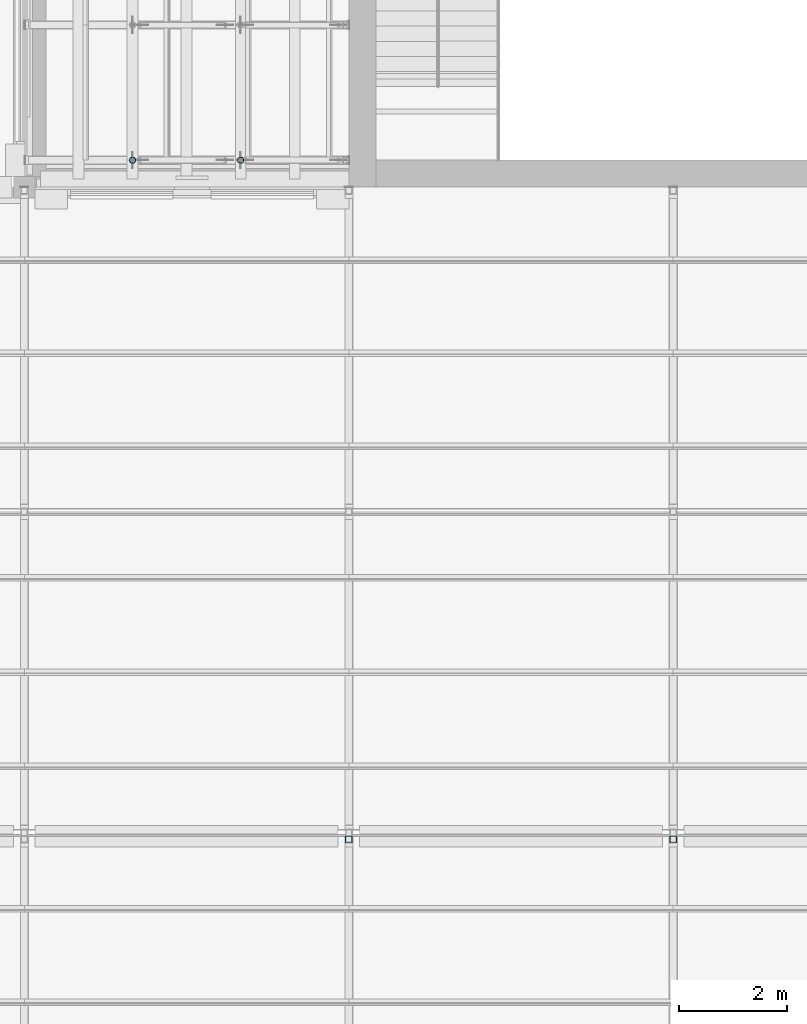
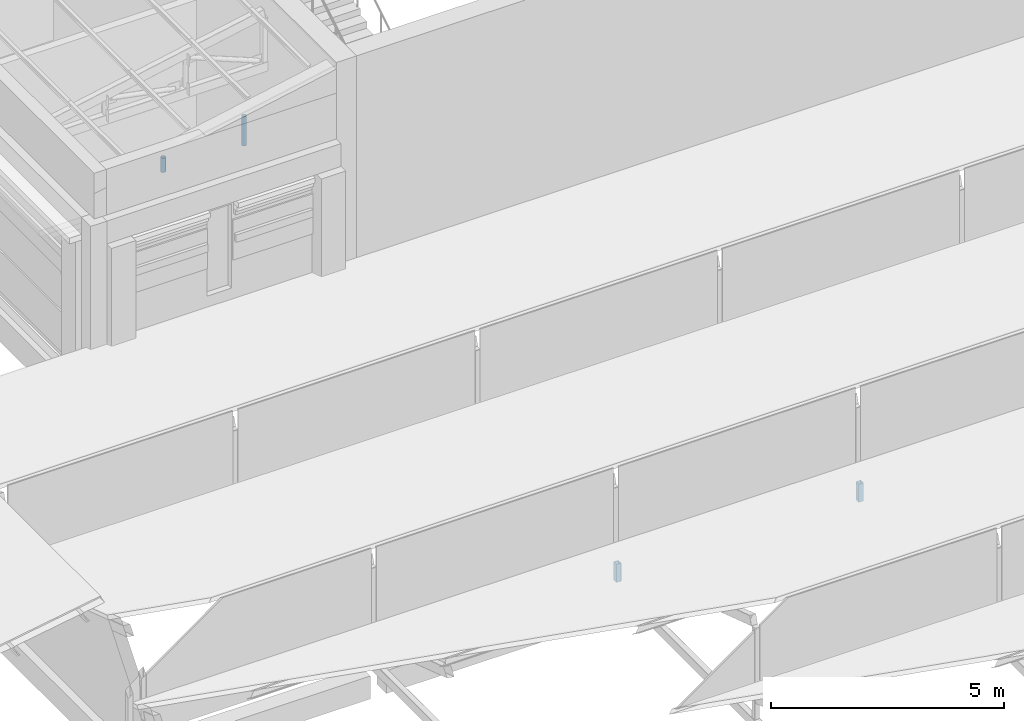
# One storey, part 50 of 118: 4 members.
"""IFC4 building model written with IfcOpenShell, lengths in metres."""

from ifc_helpers import new_model, si_unit, direction, frame, origin, origin_2d, place, context, subcontext, project, spatial, hollow_rectangle, hollow_circle, extrude, material, material_profile, profile_set, type_object, element, save


model = new_model("IFC4")

# Units and contexts
model_context = context("Model", 3, precision=1e-05, world=origin(), true_north=direction((0.0, 1.0)))
body_context = subcontext(model_context, "Body", "Model", "MODEL_VIEW")
ifc_project = project(units=[si_unit("LENGTHUNIT", "METRE"), si_unit("AREAUNIT", "SQUARE_METRE"), si_unit("VOLUMEUNIT", "CUBIC_METRE"), si_unit("PLANEANGLEUNIT", "RADIAN"), si_unit("MASSUNIT", "GRAM", prefix="KILO")], contexts=[model_context])

# Site, building, storey
site_placement = place(None, origin())
site = spatial("IfcSite", under=ifc_project, at=site_placement, CompositionType="ELEMENT")
building_placement = place(site_placement, origin())
building = spatial("IfcBuilding", under=site, at=building_placement, Name="Saffron Lane Theatres", CompositionType="ELEMENT")
storey_placement = place(building_placement, frame((0.0, 0.0, 16.5)))
storey = spatial("IfcBuildingStorey", under=building, at=storey_placement, Name="L03", CompositionType="ELEMENT", Elevation=16.5)

# Members
ifc_material_1 = material(Name="Steel Grade 350", Category="steel")
ifc_material_profile_1 = material_profile(ifc_material_1, hollow_rectangle(XDim=0.125, YDim=0.125, WallThickness=0.006103515625, InnerFilletRadius=0.0029296875, OuterFilletRadius=0.009033203125, at=origin_2d()))
ifc_profile_set_1 = profile_set([ifc_material_profile_1], Name="Steel Grade 350")
member_type_1 = type_object("IfcMemberType", Name="ST-STUDIO POST 125x125x6 SHS", PredefinedType="POST", material=ifc_profile_set_1)
for number, where, z_axis, x_axis, name in (
    (1, (18.0, 17.9375, 0.25), (0.0, 0.0, 1.0), (1.0, 0.0, 0.0), "GBP23"),
    (2, (24.0, 17.9375, 0.25), (0.0, 0.0, 1.0), (1.0, 0.0, 0.0), "GBP31"),
):
    element("IfcMember", number, at=place(storey_placement, frame(where, z_axis=z_axis, x_axis=x_axis)), inside=storey, type_object=member_type_1, Name=name, PredefinedType="POST", context=body_context, shape_type="SweptSolid", body=[
        extrude(hollow_rectangle(XDim=0.125, YDim=0.125, WallThickness=0.006103515625, InnerFilletRadius=0.0029296875, OuterFilletRadius=0.009033203125, at=origin_2d()), origin(), (0.0, 0.0, 1.0), 0.470703125),
    ])
ifc_material_2 = material(Name="Steel Grade 350", Category="steel")
ifc_material_profile_2 = material_profile(ifc_material_2, hollow_circle(Radius=0.05712890625, WallThickness=0.006103515625, at=origin_2d()))
ifc_profile_set_2 = profile_set([ifc_material_profile_2], Name="Steel Grade 350")
member_type_2 = type_object("IfcMemberType", Name="ST-STUDIO TRUSS WEB 114.3x6.0 CHS", PredefinedType="BRACE", material=ifc_profile_set_2)
member_1_placement = place(storey_placement, frame((14.0, 30.5, 4.75), z_axis=(0.0, 0.0, 1.0), x_axis=(1.0, 0.0, 0.0)))
element("IfcMember", 3, at=member_1_placement, inside=storey, type_object=member_type_2, Name="SB3-W4", PredefinedType="BRACE", context=body_context, shape_type="SweptSolid", body=[
    extrude(hollow_circle(Radius=0.05712890625, WallThickness=0.006103515625, at=origin_2d()), origin(), (0.0, 0.0, 1.0), 0.377197265625),
])
member_2_placement = place(storey_placement, frame((16.0, 30.5, 4.75), z_axis=(0.0, 0.0, 1.0), x_axis=(1.0, 0.0, 0.0)))
element("IfcMember", 4, at=member_2_placement, inside=storey, type_object=member_type_2, Name="SB3-W5", PredefinedType="BRACE", context=body_context, shape_type="SweptSolid", body=[
    extrude(hollow_circle(Radius=0.05712890625, WallThickness=0.006103515625, at=origin_2d()), origin(), (0.0, 0.0, 1.0), 0.765625),
])

save(model, "model.ifc")
